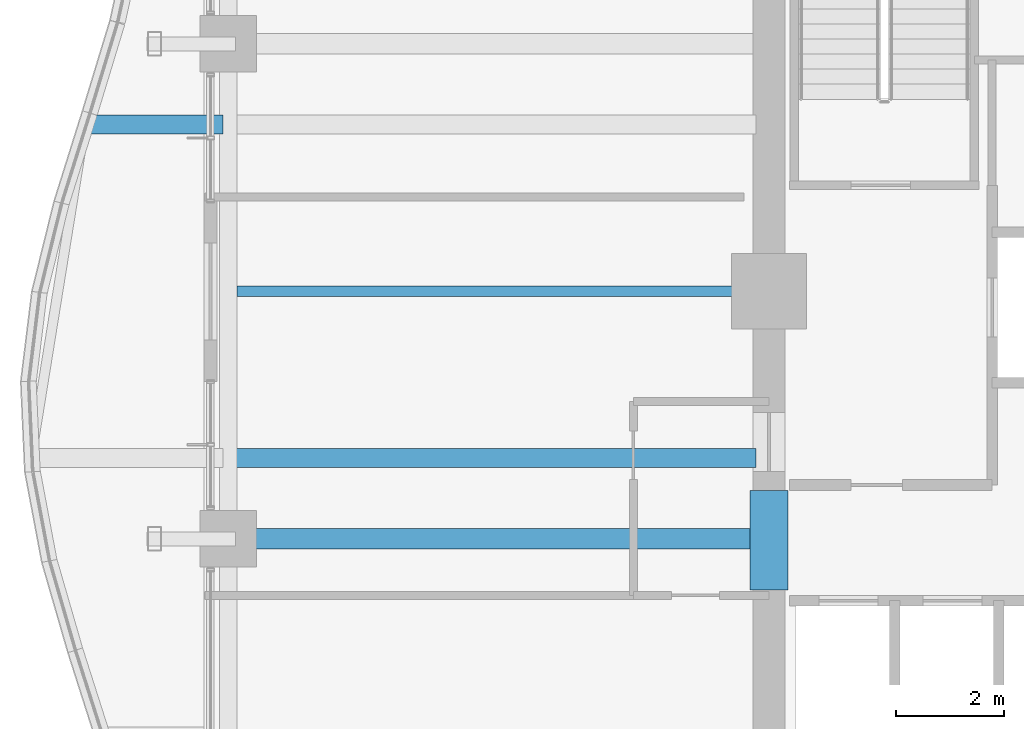
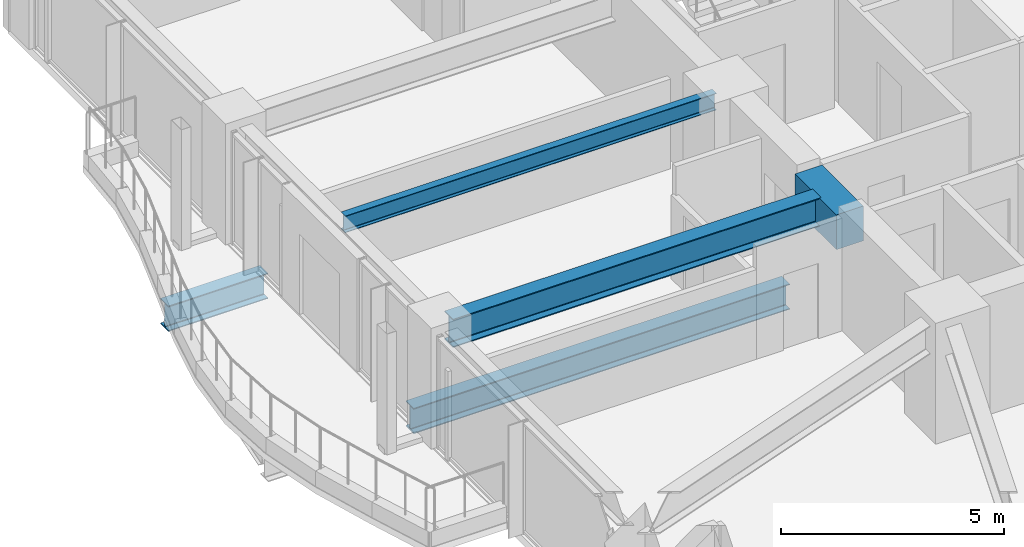
# One storey, part 8 of 37: 5 beams.
"""IFC4 building model written with IfcOpenShell, lengths in metres."""

from ifc_helpers import new_model, si_unit, direction, frame, origin, origin_2d, place, context, subcontext, project, spatial, rectangle, i_section, extrude, material, material_profile, profile_set, type_object, element, save


model = new_model("IFC4")

# Units and contexts
model_context = context("Model", 3, precision=1e-05, world=origin(), true_north=direction((0.0, 1.0)))
body_context = subcontext(model_context, "Body", "Model", "MODEL_VIEW")
ifc_project = project(units=[si_unit("LENGTHUNIT", "METRE"), si_unit("AREAUNIT", "SQUARE_METRE"), si_unit("VOLUMEUNIT", "CUBIC_METRE"), si_unit("PLANEANGLEUNIT", "RADIAN"), si_unit("MASSUNIT", "GRAM", prefix="KILO")], contexts=[model_context])

# Site, building, storey
site_placement = place(None, origin())
site = spatial("IfcSite", under=ifc_project, at=site_placement, CompositionType="ELEMENT")
building_placement = place(site_placement, origin())
building = spatial("IfcBuilding", under=site, at=building_placement, Name="Kolvaren Belvedere", CompositionType="ELEMENT")
storey_placement = place(building_placement, frame((0.0, 0.0, 75.5)))
storey = spatial("IfcBuildingStorey", under=building, at=storey_placement, Name="L21", CompositionType="ELEMENT", Elevation=75.5)

# Beams
ifc_material_1 = material(Name="Structural steel ASTM A992 Grade 50", Category="steel")
ifc_material_profile_1 = material_profile(ifc_material_1, i_section(OverallWidth=0.35498046875, OverallDepth=0.696044921875, WebThickness=0.015380859375, FlangeThickness=0.02490234375, FilletRadius=0.02197265625, at=origin_2d()), Name="W27X146")
ifc_profile_set_1 = profile_set([ifc_material_profile_1], Name="Structural steel ASTM A992 Grade 50")
beam_type_1 = type_object("IfcBeamType", Name="BM-CANT-BAL", PredefinedType="BEAM", material=ifc_profile_set_1)
beam_1_placement = place(storey_placement, frame((-20.044921875, 3.10009765625, -0.568115234375), z_axis=(-1.0, 0.0, 0.0), x_axis=(0.0, -1.0, 0.0)))
element("IfcBeam", 1, at=beam_1_placement, inside=storey, type_object=beam_type_1, Name="L21 Planted Balcony Cantilever BAL-W-2", PredefinedType="BEAM", context=body_context, shape_type="SweptSolid", body=[
    extrude(i_section(OverallWidth=0.35498046875, OverallDepth=0.696044921875, WebThickness=0.015380859375, FlangeThickness=0.02490234375, FilletRadius=0.02197265625, at=origin_2d()), origin(), (0.0, 0.0, 1.0), 2.56884765625),
])
ifc_material_2 = material(Name="Structural steel ASTM A992 Grade 50", Category="steel")
ifc_material_profile_2 = material_profile(ifc_material_2, i_section(OverallWidth=0.35498046875, OverallDepth=0.696044921875, WebThickness=0.015380859375, FlangeThickness=0.02490234375, FilletRadius=0.02197265625, at=origin_2d()), Name="W27X146")
ifc_profile_set_2 = profile_set([ifc_material_profile_2], Name="Structural steel ASTM A992 Grade 50")
beam_type_2 = type_object("IfcBeamType", Name="BM-GIRD-W27X146", PredefinedType="BEAM", material=ifc_profile_set_2)
beam_2_placement = place(storey_placement, frame((-10.139892578125, -3.10009765625, -0.568115234375), z_axis=(-1.0, 0.0, 0.0), x_axis=(0.0, -1.0, 0.0)))
element("IfcBeam", 2, at=beam_2_placement, inside=storey, type_object=beam_type_2, Name="L21 Balcony Interior Back-Span Girder BAL-W-1", PredefinedType="BEAM", context=body_context, shape_type="SweptSolid", body=[
    extrude(i_section(OverallWidth=0.35498046875, OverallDepth=0.696044921875, WebThickness=0.015380859375, FlangeThickness=0.02490234375, FilletRadius=0.02197265625, at=origin_2d()), origin(), (0.0, 0.0, 1.0), 9.715087890625),
])
ifc_material_3 = material(Name="Structural steel ASTM A992 Grade 50", Category="steel")
ifc_material_profile_3 = material_profile(ifc_material_3, i_section(OverallWidth=0.381103515625, OverallDepth=0.77294921875, WebThickness=0.0166015625, FlangeThickness=0.027099609375, FilletRadius=0.02392578125, at=origin_2d()), Name="W30X173")
ifc_profile_set_3 = profile_set([ifc_material_profile_3], Name="Structural steel ASTM A992 Grade 50")
beam_type_3 = type_object("IfcBeamType", Name="BM-GIRD-W30X173", PredefinedType="BEAM", material=ifc_profile_set_3)
beam_3_placement = place(storey_placement, frame((-10.199951171875, -4.60009765625, 2.693603515625), z_axis=(-1.0, 0.0, 0.0), x_axis=(0.0, -1.0, 0.0)))
element("IfcBeam", 3, at=beam_3_placement, inside=storey, type_object=beam_type_3, Name="L21 West Radial Girder M", PredefinedType="BEAM", context=body_context, shape_type="SweptSolid", body=[
    extrude(i_section(OverallWidth=0.381103515625, OverallDepth=0.77294921875, WebThickness=0.0166015625, FlangeThickness=0.027099609375, FilletRadius=0.02392578125, at=origin_2d()), origin(), (0.0, 0.0, 1.0), 9.513916015625),
])
ifc_material_4 = material(Name="Structural steel ASTM A992 Grade 50", Category="steel")
ifc_material_profile_4 = material_profile(ifc_material_4, i_section(OverallWidth=0.19091796875, OverallDepth=0.4599609375, WebThickness=0.010009765625, FlangeThickness=0.01611328125, FilletRadius=0.014892578125, at=origin_2d()), Name="W18X55")
ifc_profile_set_4 = profile_set([ifc_material_profile_4], Name="Structural steel ASTM A992 Grade 50")
beam_type_4 = type_object("IfcBeamType", Name="BM-JOIST-W18X55", PredefinedType="BEAM", material=ifc_profile_set_4)
beam_4_placement = place(storey_placement, frame((-10.199951171875, 0.0, 2.85009765625), z_axis=(-1.0, 0.0, 0.0), x_axis=(0.0, -1.0, 0.0)))
element("IfcBeam", 4, at=beam_4_placement, inside=storey, type_object=beam_type_4, Name="L21 West Centre Floor Beam", PredefinedType="BEAM", context=body_context, shape_type="SweptSolid", body=[
    extrude(i_section(OverallWidth=0.19091796875, OverallDepth=0.4599609375, WebThickness=0.010009765625, FlangeThickness=0.01611328125, FilletRadius=0.014892578125, at=origin_2d()), origin(), (0.0, 0.0, 1.0), 9.587646484375),
])
ifc_material_5 = material(Name="Concrete C60/75", Category="concrete")
ifc_material_profile_5 = material_profile(ifc_material_5, rectangle(XDim=0.699951171875, YDim=0.949951171875, at=origin_2d()), Name="RC 700X950")
ifc_profile_set_5 = profile_set([ifc_material_profile_5], Name="Concrete C60/75")
beam_type_5 = type_object("IfcBeamType", Name="BM-LINT-950", PredefinedType="LINTEL", material=ifc_profile_set_5)
beam_5_placement = place(storey_placement, frame((-9.89990234375, -5.550048828125, 2.60498046875), z_axis=(0.0, 1.0, 0.0), x_axis=(-1.0, 0.0, 0.0)))
element("IfcBeam", 5, at=beam_5_placement, inside=storey, type_object=beam_type_5, Name="L21 West Core Coupling Lintel", PredefinedType="LINTEL", context=body_context, shape_type="SweptSolid", body=[
    extrude(rectangle(XDim=0.699951171875, YDim=0.949951171875, at=origin_2d()), origin(), (0.0, 0.0, 1.0), 1.85009765625),
])

save(model, "model.ifc")
